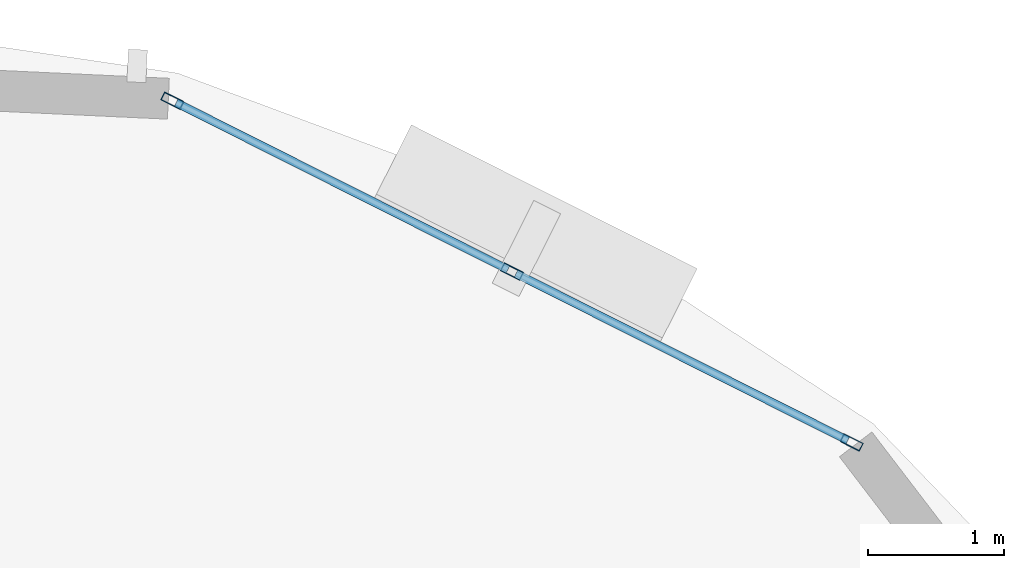
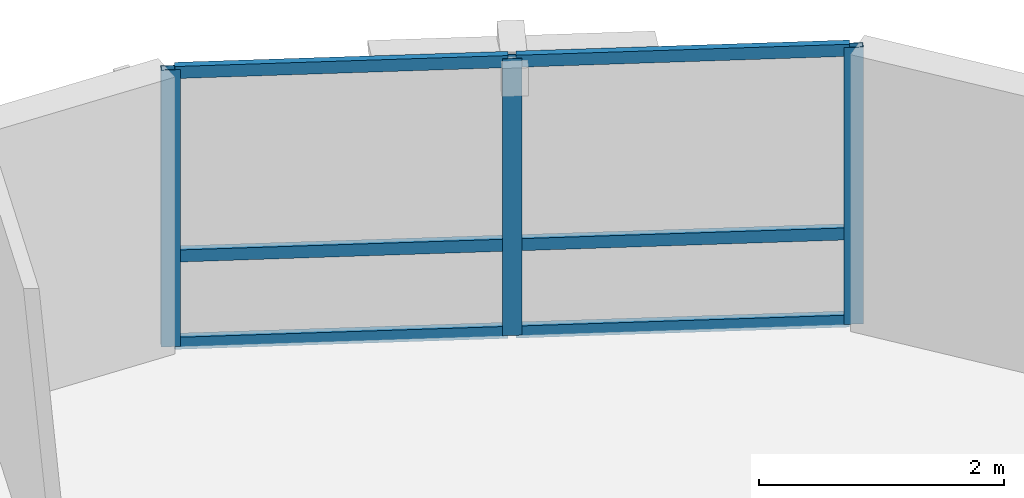
# One storey, part 5 of 11: 9 members, 1 element without a shape of its own.
"""IFC4 building model written with IfcOpenShell, lengths in metres."""

from ifc_helpers import new_model, si_unit, direction, frame, origin, origin_2d, place, context, subcontext, project, spatial, hollow_rectangle, extrude, material, layer, layer_set, material_profile, profile_set, type_object, element, aggregate, save


model = new_model("IFC4")

# Units and contexts
model_context = context("Model", 3, precision=1e-05, world=origin(), true_north=direction((0.0, 1.0)))
body_context = subcontext(model_context, "Body", "Model", "MODEL_VIEW")
ifc_project = project(units=[si_unit("LENGTHUNIT", "METRE"), si_unit("AREAUNIT", "SQUARE_METRE"), si_unit("VOLUMEUNIT", "CUBIC_METRE"), si_unit("PLANEANGLEUNIT", "RADIAN"), si_unit("MASSUNIT", "GRAM", prefix="KILO"), si_unit("THERMODYNAMICTEMPERATUREUNIT", "KELVIN"), si_unit("POWERUNIT", "WATT")], contexts=[model_context])

# Site, building, storey
site_placement = place(None, origin())
site = spatial("IfcSite", under=ifc_project, at=site_placement, CompositionType="ELEMENT")
building_placement = place(site_placement, origin())
building = spatial("IfcBuilding", under=site, at=building_placement, Name="Ocrelia Relay Tower", CompositionType="ELEMENT")
storey_placement = place(building_placement, frame((0.0, 0.0, 241.199951171875)))
storey = spatial("IfcBuildingStorey", under=building, at=storey_placement, Name="L59", CompositionType="ELEMENT", Elevation=241.199951171875)

# Curtain wall, members
ifc_material_1 = material(Name="Aluminium and solar-control low-E glass", Category="aluminium")
ifc_layer = layer(ifc_material_1, 0.179931640625, Name="Aluminium and solar-control low-E glass")
ifc_layer_set = layer_set([ifc_layer], Name="Aluminium and solar-control low-E glass")
curtain_wall_type = type_object("IfcCurtainWallType", Name="CW-SYS-Z4-EXEC", PredefinedType="NOTDEFINED", material=ifc_layer_set)
curtain_wall_placement = place(storey_placement, origin())
curtain_wall = element("IfcCurtainWall", 1, at=curtain_wall_placement, inside=storey, type_object=curtain_wall_type, Name="L59 Elliptical Tower Curtain Wall Bay 01", PredefinedType="NOTDEFINED")
ifc_material_2 = material(Name="Anodised bronze aluminium", Category="aluminium")
ifc_material_profile_1 = material_profile(ifc_material_2, hollow_rectangle(XDim=0.06494140625, YDim=0.159912109375, WallThickness=0.0048828125, at=origin_2d()), Name="CW-MUL-160x65")
ifc_profile_set_1 = profile_set([ifc_material_profile_1], Name="Anodised bronze aluminium")
member_type_1 = type_object("IfcMemberType", Name="CW-SYS-Z4-EXEC-MUL", PredefinedType="MULLION", material=ifc_profile_set_1)
member_1_placement = place(storey_placement, frame((47.370849609375, 42.18359375, 0.0), z_axis=(0.0, 0.0, 1.0), x_axis=(-0.449286622511, -0.893387671077, 0.0)))
member_1 = element("IfcMember", 2, at=member_1_placement, type_object=member_type_1, Name="CW-Z4 mullion 1", PredefinedType="MULLION", context=body_context, shape_type="SweptSolid", body=[
    extrude(hollow_rectangle(XDim=0.06494140625, YDim=0.159912109375, WallThickness=0.0048828125, at=origin_2d()), origin(), (0.0, 0.0, 1.0), 2.760009765625),
])
member_2_placement = place(storey_placement, frame((44.8759765625, 43.4384765625, 0.0), z_axis=(0.0, 0.0, 1.0), x_axis=(-0.449286622511, -0.893387671077, 0.0)))
member_2 = element("IfcMember", 3, at=member_2_placement, type_object=member_type_1, Name="CW-Z4 mullion 2", PredefinedType="MULLION", context=body_context, shape_type="SweptSolid", body=[
    extrude(hollow_rectangle(XDim=0.06494140625, YDim=0.159912109375, WallThickness=0.0048828125, at=origin_2d()), origin(), (0.0, 0.0, 1.0), 2.760009765625),
])
member_3_placement = place(storey_placement, frame((42.381103515625, 44.693115234375, 0.0), z_axis=(0.0, 0.0, 1.0), x_axis=(-0.449286622511, -0.893387671077, 0.0)))
member_3 = element("IfcMember", 4, at=member_3_placement, type_object=member_type_1, Name="CW-Z4 mullion 3", PredefinedType="MULLION", context=body_context, shape_type="SweptSolid", body=[
    extrude(hollow_rectangle(XDim=0.06494140625, YDim=0.159912109375, WallThickness=0.0048828125, at=origin_2d()), origin(), (0.0, 0.0, 1.0), 2.760009765625),
])
ifc_material_profile_2 = material_profile(ifc_material_2, hollow_rectangle(XDim=0.06005859375, YDim=0.1201171875, WallThickness=0.0048828125, at=origin_2d()), Name="CW-TRN-120x60")
ifc_profile_set_2 = profile_set([ifc_material_profile_2], Name="Anodised bronze aluminium")
member_type_2 = type_object("IfcMemberType", Name="CW-SYS-Z4-EXEC-TRN", PredefinedType="USERDEFINED", material=ifc_profile_set_2)
member_4_placement = place(storey_placement, frame((47.342041015625, 42.1982421875, 0.030029296875), z_axis=(-0.893386583651, 0.449288784806, 0.0), x_axis=(-0.449288784806, -0.893386583651, 0.0)))
member_4 = element("IfcMember", 5, at=member_4_placement, type_object=member_type_2, Name="CW-Z4 transom 1.1", ObjectType="TRANSOM", PredefinedType="USERDEFINED", context=body_context, shape_type="SweptSolid", body=[
    extrude(hollow_rectangle(XDim=0.06005859375, YDim=0.1201171875, WallThickness=0.0048828125, at=origin_2d()), origin(), (0.0, 0.0, 1.0), 2.727783203125),
])
member_5_placement = place(storey_placement, frame((47.342041015625, 42.1982421875, 0.900146484375), z_axis=(-0.893386583651, 0.449288784806, 0.0), x_axis=(-0.449288784806, -0.893386583651, 0.0)))
member_5 = element("IfcMember", 6, at=member_5_placement, type_object=member_type_2, Name="CW-Z4 transom 1.2", ObjectType="TRANSOM", PredefinedType="USERDEFINED", context=body_context, shape_type="SweptSolid", body=[
    extrude(hollow_rectangle(XDim=0.06005859375, YDim=0.1201171875, WallThickness=0.0048828125, at=origin_2d()), origin(), (0.0, 0.0, 1.0), 2.727783203125),
])
member_6_placement = place(storey_placement, frame((47.342041015625, 42.1982421875, 2.72998046875), z_axis=(-0.893386583651, 0.449288784806, 0.0), x_axis=(-0.449288784806, -0.893386583651, 0.0)))
member_6 = element("IfcMember", 7, at=member_6_placement, type_object=member_type_2, Name="CW-Z4 transom 1.3", ObjectType="TRANSOM", PredefinedType="USERDEFINED", context=body_context, shape_type="SweptSolid", body=[
    extrude(hollow_rectangle(XDim=0.06005859375, YDim=0.1201171875, WallThickness=0.0048828125, at=origin_2d()), origin(), (0.0, 0.0, 1.0), 2.727783203125),
])
member_7_placement = place(storey_placement, frame((44.846923828125, 43.452880859375, 0.030029296875), z_axis=(-0.893368515026, 0.449324711495, 0.0), x_axis=(-0.449324711495, -0.893368515026, 0.0)))
member_7 = element("IfcMember", 8, at=member_7_placement, type_object=member_type_2, Name="CW-Z4 transom 2.1", ObjectType="TRANSOM", PredefinedType="USERDEFINED", context=body_context, shape_type="SweptSolid", body=[
    extrude(hollow_rectangle(XDim=0.06005859375, YDim=0.1201171875, WallThickness=0.0048828125, at=origin_2d()), origin(), (0.0, 0.0, 1.0), 2.7275390625),
])
member_8_placement = place(storey_placement, frame((44.846923828125, 43.452880859375, 0.900146484375), z_axis=(-0.893368515026, 0.449324711495, 0.0), x_axis=(-0.449324711495, -0.893368515026, 0.0)))
member_8 = element("IfcMember", 9, at=member_8_placement, type_object=member_type_2, Name="CW-Z4 transom 2.2", ObjectType="TRANSOM", PredefinedType="USERDEFINED", context=body_context, shape_type="SweptSolid", body=[
    extrude(hollow_rectangle(XDim=0.06005859375, YDim=0.1201171875, WallThickness=0.0048828125, at=origin_2d()), origin(), (0.0, 0.0, 1.0), 2.7275390625),
])
member_9_placement = place(storey_placement, frame((44.846923828125, 43.452880859375, 2.72998046875), z_axis=(-0.893368515026, 0.449324711495, 0.0), x_axis=(-0.449324711495, -0.893368515026, 0.0)))
member_9 = element("IfcMember", 10, at=member_9_placement, type_object=member_type_2, Name="CW-Z4 transom 2.3", ObjectType="TRANSOM", PredefinedType="USERDEFINED", context=body_context, shape_type="SweptSolid", body=[
    extrude(hollow_rectangle(XDim=0.06005859375, YDim=0.1201171875, WallThickness=0.0048828125, at=origin_2d()), origin(), (0.0, 0.0, 1.0), 2.7275390625),
])
aggregate(curtain_wall, [member_1, member_2, member_3, member_4, member_5, member_6, member_7, member_8, member_9])

save(model, "model.ifc")
